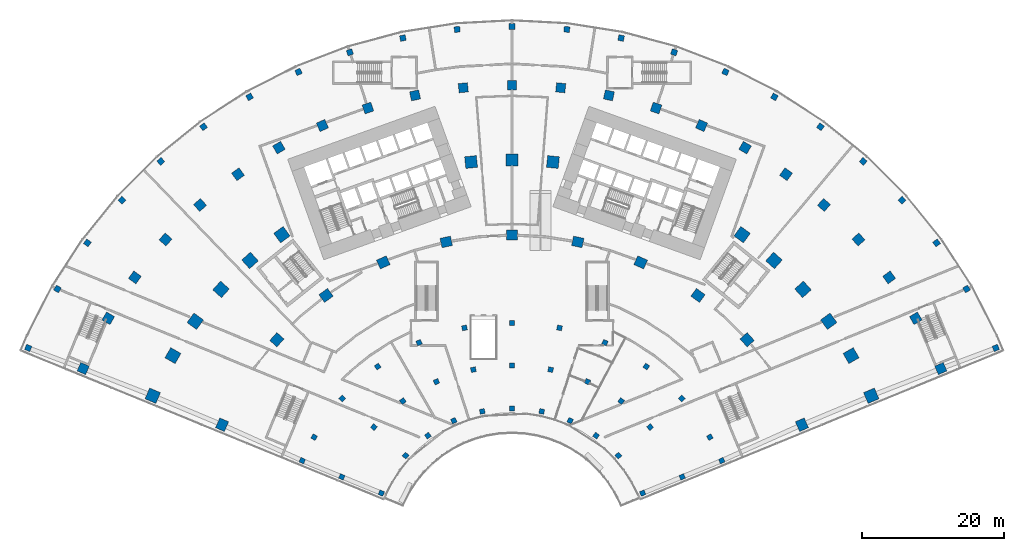
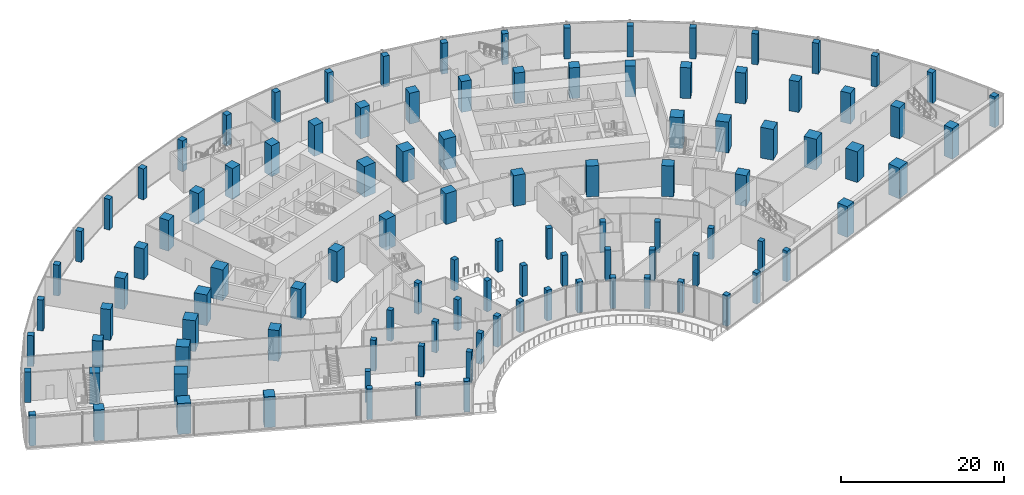
# One storey, part 1 of 40: 107 columns.
"""IFC4 building model written with IfcOpenShell, lengths in metres."""

import ifcopenshell
import ifcopenshell.guid

model = None  # the IFC model being written
_history = None  # IfcOwnerHistory: only IFC2X3 demands one
_inside = {}  # id of a spatial element -> (the spatial element, [elements in it])
_under = {}  # id of a project, library or spatial element -> (it, [spatial elements below it])
_declared = {}  # id of a project -> (the project, [libraries it declares])
_typed = {}  # id of a type object -> (the type object, [elements of that type])
_made_of = {}  # id of a material, layer set ... -> (it, [elements and type objects made of it])


def new_model(schema):
    """Start an empty IFC model of exactly this schema.

    Asked for "IFC4X3", IfcOpenShell would pick the latest addendum, in which some entities
    have other attributes; the version numbers below select the first issue.
    IFC2X3 requires an IfcOwnerHistory on every rooted entity: one is made here for all.
    """
    global model, _history
    if schema == "IFC4X3":
        model = ifcopenshell.file(schema_version=(4, 3, 0, 0))
    else:
        model = ifcopenshell.file(schema=schema)
    _inside.clear()
    _under.clear()
    _declared.clear()
    _typed.clear()
    _made_of.clear()
    _history = None
    if model.schema == "IFC2X3":
        org = make("IfcOrganization", Name="unknown")
        user = make(
            "IfcPersonAndOrganization",
            ThePerson=make("IfcPerson", FamilyName="unknown"),
            TheOrganization=org,
        )
        app = make(
            "IfcApplication",
            ApplicationDeveloper=org,
            Version="unknown",
            ApplicationFullName="unknown",
            ApplicationIdentifier="unknown",
        )
        _history = make(
            "IfcOwnerHistory",
            OwningUser=user,
            OwningApplication=app,
            ChangeAction="ADDED",
            CreationDate=0,
        )
    return model


def make(cls, **values):
    """One entity of the class cls with the attributes given. An attribute that is None is left unset."""
    return model.create_entity(
        cls, **{name: value for name, value in values.items() if value is not None}
    )


def rooted(cls, **values):
    """An entity with a GlobalId (a new one), such as an element, a storey or a relation."""
    return make(cls, GlobalId=ifcopenshell.guid.new(), OwnerHistory=_history, **values)


def si_unit(unit_type, name, prefix=None):
    """IfcSIUnit, for example si_unit("LENGTHUNIT", "METRE", prefix="MILLI")."""
    return make("IfcSIUnit", UnitType=unit_type, Prefix=prefix, Name=name)


def assignment(units):
    """IfcUnitAssignment: the units of a project."""
    return None if units is None else make("IfcUnitAssignment", Units=units)


def point(xyz):
    """IfcCartesianPoint."""
    return None if xyz is None else make("IfcCartesianPoint", Coordinates=xyz)


def direction(xyz):
    """IfcDirection."""
    return None if xyz is None else make("IfcDirection", DirectionRatios=xyz)


def frame(location, z_axis=None, x_axis=None):
    """IfcAxis2Placement3D, a coordinate frame: its origin and axes. An axis left out is left unset."""
    return make(
        "IfcAxis2Placement3D",
        Location=point(location),
        Axis=direction(z_axis),
        RefDirection=direction(x_axis),
    )


def frame_2d(location, x_axis=None):
    """IfcAxis2Placement2D, a coordinate frame in the plane: its origin and x axis."""
    return make(
        "IfcAxis2Placement2D", Location=point(location), RefDirection=direction(x_axis)
    )


def origin():
    """The frame at (0, 0, 0) with its axes left unset."""
    return frame((0.0, 0.0, 0.0))


def origin_2d():
    """The frame at (0, 0) in the plane with its x axis left unset."""
    return frame_2d((0.0, 0.0))


def place(relative_to, where):
    """IfcLocalPlacement: puts the frame where relative to a parent placement (None: the world)."""
    return make(
        "IfcLocalPlacement", PlacementRelTo=relative_to, RelativePlacement=where
    )


def context(
    kind, dimensions, precision=None, world=None, true_north=None, identifier=None
):
    """IfcGeometricRepresentationContext, for example the 3D "Model" context."""
    return make(
        "IfcGeometricRepresentationContext",
        ContextIdentifier=identifier,
        ContextType=kind,
        CoordinateSpaceDimension=dimensions,
        Precision=precision,
        WorldCoordinateSystem=world,
        TrueNorth=true_north,
    )


def subcontext(parent, identifier, kind, view, scale=None):
    """IfcGeometricRepresentationSubContext, for example "Body" below "Model"."""
    return make(
        "IfcGeometricRepresentationSubContext",
        ContextIdentifier=identifier,
        ContextType=kind,
        ParentContext=parent,
        TargetScale=scale,
        TargetView=view,
    )


def project(units=None, contexts=None):
    """IfcProject with its units and contexts."""
    return rooted(
        "IfcProject",
        Name="project",
        RepresentationContexts=contexts,
        UnitsInContext=assignment(units),
    )


def spatial(cls, under=None, at=None, **own):
    """A site, building, storey or space (cls), placed at a placement, below another one or the project."""
    s = rooted(cls, ObjectPlacement=at, **own)
    if under is not None:
        _under.setdefault(under.id(), (under, []))[1].append(s)
    return s


def profile(cls, at=None, kind="AREA", **sizes):
    """A parametric profile (cls). Its sizes go by their IFC names, for example OverallWidth=200.0."""
    return make(cls, ProfileType=kind, Position=at, **sizes)


def rectangle(**sizes):
    """IfcRectangleProfileDef."""
    return profile("IfcRectangleProfileDef", **sizes)


def extrude(swept, where, along, depth):
    """IfcExtrudedAreaSolid: the profile swept, set in the frame where, extruded along a direction by depth."""
    return make(
        "IfcExtrudedAreaSolid",
        SweptArea=swept,
        Position=where,
        ExtrudedDirection=direction(along),
        Depth=depth,
    )


def shape(context_of_items, identifier, shape_type, items):
    """IfcShapeRepresentation: the items that make up one representation, for example the "Body"."""
    return make(
        "IfcShapeRepresentation",
        ContextOfItems=context_of_items,
        RepresentationIdentifier=identifier,
        RepresentationType=shape_type,
        Items=items,
    )


def material(Name=None, Category=None):
    """IfcMaterial."""
    return make("IfcMaterial", Name=Name, Category=Category)


def material_profile(
    of_material, cross_section, Name=None, Category=None, Priority=None
):
    """IfcMaterialProfile: a cross section and its material."""
    return make(
        "IfcMaterialProfile",
        Name=Name,
        Material=of_material,
        Profile=cross_section,
        Priority=Priority,
        Category=Category,
    )


def profile_set(profiles, Name=None, composite=None):
    """IfcMaterialProfileSet."""
    return make(
        "IfcMaterialProfileSet",
        Name=Name,
        MaterialProfiles=profiles,
        CompositeProfile=composite,
    )


def made_of(thing, what):
    """Note that an element or type object is made of a material, layer set ...; save() writes the relation."""
    if what is not None:
        _made_of.setdefault(what.id(), (what, []))[1].append(thing)
    return thing


def type_object(cls, material=None, **own):
    """A type object (cls), such as IfcWallType, which elements share."""
    return made_of(rooted(cls, **own), material)


def element(
    cls,
    number,
    at=None,
    inside=None,
    cuts=None,
    type_object=None,
    material=None,
    context=None,
    identifier="Body",
    shape_type=None,
    held_by="IfcProductDefinitionShape",
    body=None,
    shapes=None,
    **own,
):
    """One element of the class cls, such as IfcWall. Its Tag is "e" and its number.

    at: its placement. inside: the storey or other place that contains it. cuts: it is an
    opening in that element (IfcRelVoidsElement). A single representation is given by context,
    identifier, shape_type and body (its items); several are given by shapes. held_by: the class
    of the entity that holds the representations. save() writes the other relations.
    """
    e = rooted(cls, Tag="e%d" % number, ObjectPlacement=at, **own)
    if body is not None:
        shapes = [shape(context, identifier, shape_type, body)]
    if shapes is not None:
        e.Representation = make(held_by, Representations=shapes)
    if inside is not None:
        _inside.setdefault(inside.id(), (inside, []))[1].append(e)
    if cuts is not None:
        rooted(
            "IfcRelVoidsElement", RelatingBuildingElement=cuts, RelatedOpeningElement=e
        )
    if type_object is not None:
        _typed.setdefault(type_object.id(), (type_object, []))[1].append(e)
    return made_of(e, material)


def aggregate(whole, parts):
    """IfcRelAggregates: a whole, such as a stair, and the parts it consists of."""
    return rooted("IfcRelAggregates", RelatingObject=whole, RelatedObjects=parts)


def save(model, path):
    """Write the relations noted so far, then the file.

    IfcRelAggregates (storeys below a building ...), IfcRelContainedInSpatialStructure (elements
    in a storey), IfcRelDefinesByType, IfcRelAssociatesMaterial and IfcRelDeclares: one each for
    every whole, place, type object, material and project.
    """
    for whole, parts in _under.values():
        aggregate(whole, parts)
    for where, things in _inside.values():
        rooted(
            "IfcRelContainedInSpatialStructure",
            RelatedElements=things,
            RelatingStructure=where,
        )
    for kind, things in _typed.values():
        rooted("IfcRelDefinesByType", RelatedObjects=things, RelatingType=kind)
    for what, things in _made_of.values():
        rooted("IfcRelAssociatesMaterial", RelatedObjects=things, RelatingMaterial=what)
    for by, libraries in _declared.values():
        rooted("IfcRelDeclares", RelatingContext=by, RelatedDefinitions=libraries)
    model.write(path)


model = new_model("IFC4")

# Units and contexts
model_context = context("Model", 3, precision=1e-05, world=origin(), true_north=direction((0.0, 1.0)))
body_context = subcontext(model_context, "Body", "Model", "MODEL_VIEW")
ifc_project = project(units=[si_unit("LENGTHUNIT", "METRE"), si_unit("AREAUNIT", "SQUARE_METRE"), si_unit("VOLUMEUNIT", "CUBIC_METRE"), si_unit("PLANEANGLEUNIT", "RADIAN"), si_unit("MASSUNIT", "GRAM", prefix="KILO")], contexts=[model_context])

# Site, building, storey
site_placement = place(None, origin())
site = spatial("IfcSite", under=ifc_project, at=site_placement, CompositionType="ELEMENT")
building_placement = place(site_placement, origin())
building = spatial("IfcBuilding", under=site, at=building_placement, Name="Stone Belt Terrace Tower", CompositionType="ELEMENT")
storey_placement = place(building_placement, frame((0.0, 0.0, 7.0)))
storey = spatial("IfcBuildingStorey", under=building, at=storey_placement, Name="L01", CompositionType="ELEMENT", Elevation=7.0)

# Columns
ifc_material_1 = material(Name="Concrete B80", Category="concrete")
ifc_material_profile_1 = material_profile(ifc_material_1, rectangle(XDim=1.300048828125, YDim=1.300048828125, at=origin_2d()), Name="RC 1300x1300")
ifc_profile_set_1 = profile_set([ifc_material_profile_1], Name="Concrete B80")
column_type_1 = type_object("IfcColumnType", Name="Column RC 1300x1300 B80", PredefinedType="COLUMN", material=ifc_profile_set_1)
for number, where, z_axis, x_axis, name in (
    (1, (-60.24169921875, 25.68505859375, 0.0), (0.0, 0.0, 1.0), (0.392203865004, 0.919878322538, 0.0), "Column L01 RA"),
    (2, (-56.715087890625, 32.744384765625, 0.0), (0.0, 0.0, 1.0), (0.5, 0.866025403784, 0.0), "Column L01 R12"),
    (3, (-52.981689453125, 38.493408203125, 0.0), (0.0, 0.0, 1.0), (0.587785252292, 0.809016994375, 0.0), "Column L01 R13"),
    (4, (-48.667724609375, 43.820556640625, 0.0), (0.0, 0.0, 1.0), (0.669130606359, 0.743144825477, 0.0), "Column L01 R14"),
    (5, (-43.820556640625, 48.667724609375, 0.0), (0.0, 0.0, 1.0), (0.743144825477, 0.669130606359, 0.0), "Column L01 R15"),
    (6, (-38.493408203125, 52.981689453125, 0.0), (0.0, 0.0, 1.0), (0.809016994375, 0.587785252292, 0.0), "Column L01 R16"),
    (7, (-32.744384765625, 56.715087890625, 0.0), (0.0, 0.0, 1.0), (0.866025403784, 0.5, 0.0), "Column L01 R17"),
    (8, (-26.63671875, 59.8271484375, 0.0), (0.0, 0.0, 1.0), (0.913545457643, 0.406736643076, 0.0), "Column L01 R18"),
    (9, (-20.2373046875, 62.28369140625, 0.0), (0.0, 0.0, 1.0), (0.951056516295, 0.309016994375, 0.0), "Column L01 R19"),
    (10, (-13.615966796875, 64.057861328125, 0.0), (0.0, 0.0, 1.0), (0.978147600734, 0.207911690818, 0.0), "Column L01 R20"),
    (11, (-6.845458984375, 65.130126953125, 0.0), (0.0, 0.0, 1.0), (0.994521895368, 0.104528463268, 0.0), "Column L01 R21"),
    (12, (0.0, 65.489013671875, 0.0), (0.0, 0.0, 1.0), (1.0, 0.0, 0.0), "Column L01 R22"),
    (13, (6.845458984375, 65.130126953125, 0.0), (0.0, 0.0, 1.0), (0.994521895368, -0.104528463268, 0.0), "Column L01 R23"),
    (14, (13.615966796875, 64.057861328125, 0.0), (0.0, 0.0, 1.0), (0.978147600734, -0.207911690818, 0.0), "Column L01 R24"),
    (15, (20.2373046875, 62.28369140625, 0.0), (0.0, 0.0, 1.0), (0.951056516295, -0.309016994375, 0.0), "Column L01 R25"),
    (16, (26.63671875, 59.8271484375, 0.0), (0.0, 0.0, 1.0), (0.913545457643, -0.406736643076, 0.0), "Column L01 R26"),
    (17, (32.744384765625, 56.715087890625, 0.0), (0.0, 0.0, 1.0), (0.866025403784, -0.5, 0.0), "Column L01 R27"),
    (18, (38.493408203125, 52.981689453125, 0.0), (0.0, 0.0, 1.0), (0.809016994375, -0.587785252292, 0.0), "Column L01 R28"),
    (19, (43.820556640625, 48.667724609375, 0.0), (0.0, 0.0, 1.0), (0.743144825477, -0.669130606359, 0.0), "Column L01 R29"),
    (20, (48.667724609375, 43.820556640625, 0.0), (0.0, 0.0, 1.0), (0.669130606359, -0.743144825477, 0.0), "Column L01 R30"),
    (21, (52.981689453125, 38.493408203125, 0.0), (0.0, 0.0, 1.0), (0.587785252292, -0.809016994375, 0.0), "Column L01 R31"),
    (22, (56.715087890625, 32.744384765625, 0.0), (0.0, 0.0, 1.0), (0.5, -0.866025403784, 0.0), "Column L01 R32"),
    (23, (60.24169921875, 25.68505859375, 0.0), (0.0, 0.0, 1.0), (0.392203865004, -0.919878322538, 0.0), "Column L01 RB"),
):
    element("IfcColumn", number, at=place(storey_placement, frame(where, z_axis=z_axis, x_axis=x_axis)), inside=storey, type_object=column_type_1, Name=name, PredefinedType="COLUMN", context=body_context, shape_type="SweptSolid", body=[
        extrude(rectangle(XDim=1.300048828125, YDim=1.300048828125, at=origin_2d()), origin(), (0.0, 0.0, 1.0), 4.60009765625),
    ])
ifc_material_profile_2 = material_profile(ifc_material_1, rectangle(XDim=1.5, YDim=1.35009765625, at=origin_2d()), Name="RC 1500x1350")
ifc_profile_set_2 = profile_set([ifc_material_profile_2], Name="Concrete B80")
column_type_2 = type_object("IfcColumnType", Name="Column RC 1500x1350 B80", PredefinedType="COLUMN", material=ifc_profile_set_2)
for number, where, z_axis, x_axis, name in (
    (24, (-40.727294921875, 17.794677734375, 0.0), (0.0, 0.0, 1.0), (0.40037622141, 0.916350850564, 0.0), "Column L01 PA"),
    (25, (-33.029052734375, 29.739501953125, 0.0), (0.0, 0.0, 1.0), (0.669130606359, 0.743144825477, 0.0), "Column L01 P14"),
    (26, (-26.1240234375, 35.956787109375, 0.0), (0.0, 0.0, 1.0), (0.809016994375, 0.587785252292, 0.0), "Column L01 P16"),
    (27, (-18.077392578125, 40.6025390625, 0.0), (0.0, 0.0, 1.0), (0.913545457643, 0.406736643076, 0.0), "Column L01 P18"),
    (28, (-9.240478515625, 43.473876953125, 0.0), (0.0, 0.0, 1.0), (0.978147600734, 0.207911690818, 0.0), "Column L01 P20"),
    (29, (0.0, 44.445068359375, 0.0), (0.0, 0.0, 1.0), (1.0, 0.0, 0.0), "Column L01 P22"),
    (30, (9.240478515625, 43.473876953125, 0.0), (0.0, 0.0, 1.0), (0.978147600734, -0.207911690818, 0.0), "Column L01 P24"),
    (31, (18.077392578125, 40.6025390625, 0.0), (0.0, 0.0, 1.0), (0.913545457643, -0.406736643076, 0.0), "Column L01 P26"),
    (32, (26.1240234375, 35.956787109375, 0.0), (0.0, 0.0, 1.0), (0.809016994375, -0.587785252292, 0.0), "Column L01 P28"),
    (33, (33.029052734375, 29.739501953125, 0.0), (0.0, 0.0, 1.0), (0.669130606359, -0.743144825477, 0.0), "Column L01 P30"),
    (34, (40.727294921875, 17.794677734375, 0.0), (0.0, 0.0, 1.0), (0.40037622141, -0.916350850564, 0.0), "Column L01 PB"),
):
    element("IfcColumn", number, at=place(storey_placement, frame(where, z_axis=z_axis, x_axis=x_axis)), inside=storey, type_object=column_type_2, Name=name, PredefinedType="COLUMN", context=body_context, shape_type="SweptSolid", body=[
        extrude(rectangle(XDim=1.5, YDim=1.35009765625, at=origin_2d()), origin(), (0.0, 0.0, 1.0), 4.60009765625),
    ])
ifc_material_profile_3 = material_profile(ifc_material_1, rectangle(XDim=1.64990234375, YDim=1.64990234375, at=origin_2d()), Name="RC 1650x1650")
ifc_profile_set_3 = profile_set([ifc_material_profile_3], Name="Concrete B80")
column_type_3 = type_object("IfcColumnType", Name="Column RC 1650x1650 B80", PredefinedType="COLUMN", material=ifc_profile_set_3)
for number, where, z_axis, x_axis, name in (
    (35, (-50.466064453125, 21.867431640625, 0.0), (0.0, 0.0, 1.0), (0.397588335471, 0.917563902678, 0.0), "Column L01 QA"),
    (36, (-47.63134765625, 27.5, 0.0), (0.0, 0.0, 1.0), (0.5, 0.866025403784, 0.0), "Column L01 Q12"),
    (37, (-44.495849609375, 32.328125, 0.0), (0.0, 0.0, 1.0), (0.587785252292, 0.809016994375, 0.0), "Column L01 Q13"),
    (38, (-40.873046875, 36.80224609375, 0.0), (0.0, 0.0, 1.0), (0.669130606359, 0.743144825477, 0.0), "Column L01 Q14"),
    (39, (-36.80224609375, 40.873046875, 0.0), (0.0, 0.0, 1.0), (0.743144825477, 0.669130606359, 0.0), "Column L01 Q15"),
    (40, (-32.328125, 44.495849609375, 0.0), (0.0, 0.0, 1.0), (0.809016994375, 0.587785252292, 0.0), "Column L01 Q16"),
    (41, (-5.7490234375, 54.69873046875, 0.0), (0.0, 0.0, 1.0), (0.994521895368, 0.104528463268, 0.0), "Column L01 Q21"),
    (42, (0.0, 55.0, 0.0), (0.0, 0.0, 1.0), (1.0, 0.0, 0.0), "Column L01 Q22"),
    (43, (5.7490234375, 54.69873046875, 0.0), (0.0, 0.0, 1.0), (0.994521895368, -0.104528463268, 0.0), "Column L01 Q23"),
    (44, (32.328125, 44.495849609375, 0.0), (0.0, 0.0, 1.0), (0.809016994375, -0.587785252292, 0.0), "Column L01 Q28"),
    (45, (36.80224609375, 40.873046875, 0.0), (0.0, 0.0, 1.0), (0.743144825477, -0.669130606359, 0.0), "Column L01 Q29"),
    (46, (40.873046875, 36.80224609375, 0.0), (0.0, 0.0, 1.0), (0.669130606359, -0.743144825477, 0.0), "Column L01 Q30"),
    (47, (44.495849609375, 32.328125, 0.0), (0.0, 0.0, 1.0), (0.587785252292, -0.809016994375, 0.0), "Column L01 Q31"),
    (48, (47.63134765625, 27.5, 0.0), (0.0, 0.0, 1.0), (0.5, -0.866025403784, 0.0), "Column L01 Q32"),
    (49, (50.466064453125, 21.867431640625, 0.0), (0.0, 0.0, 1.0), (0.397588335471, -0.917563902678, 0.0), "Column L01 QB"),
):
    element("IfcColumn", number, at=place(storey_placement, frame(where, z_axis=z_axis, x_axis=x_axis)), inside=storey, type_object=column_type_3, Name=name, PredefinedType="COLUMN", context=body_context, shape_type="SweptSolid", body=[
        extrude(rectangle(XDim=1.64990234375, YDim=1.64990234375, at=origin_2d()), origin(), (0.0, 0.0, 1.0), 4.60009765625),
    ])
ifc_material_2 = material(Name="Concrete B60", Category="concrete")
ifc_material_profile_4 = material_profile(ifc_material_2, rectangle(XDim=0.699951171875, YDim=0.699951171875, at=origin_2d()), Name="RC 700x700")
ifc_profile_set_4 = profile_set([ifc_material_profile_4], Name="Concrete B60")
column_type_4 = type_object("IfcColumnType", Name="Column RC 700x700 B60", PredefinedType="COLUMN", material=ifc_profile_set_4)
for number, where, z_axis, x_axis, name in (
    (50, (-18.3544921875, 8.19287109375, 0.0), (0.0, 0.0, 1.0), (0.40759905238, 0.913161000316, 0.0), "Column L01 MA"),
    (51, (-14.937255859375, 13.449462890625, 0.0), (0.0, 0.0, 1.0), (0.669130606359, 0.743144825477, 0.0), "Column L01 M14"),
    (52, (-11.814453125, 16.26123046875, 0.0), (0.0, 0.0, 1.0), (0.809016994375, 0.587785252292, 0.0), "Column L01 M16"),
    (53, (-8.17529296875, 18.3623046875, 0.0), (0.0, 0.0, 1.0), (0.913545457643, 0.406736643076, 0.0), "Column L01 M18"),
    (54, (-4.178955078125, 19.660888671875, 0.0), (0.0, 0.0, 1.0), (0.978147600734, 0.207911690818, 0.0), "Column L01 M20"),
    (55, (0.0, 20.10009765625, 0.0), (0.0, 0.0, 1.0), (1.0, 0.0, 0.0), "Column L01 M22"),
    (56, (4.178955078125, 19.660888671875, 0.0), (0.0, 0.0, 1.0), (0.978147600734, -0.207911690818, 0.0), "Column L01 M24"),
    (57, (8.17529296875, 18.3623046875, 0.0), (0.0, 0.0, 1.0), (0.913545457643, -0.406736643076, 0.0), "Column L01 M26"),
    (58, (11.814453125, 16.26123046875, 0.0), (0.0, 0.0, 1.0), (0.809016994375, -0.587785252292, 0.0), "Column L01 M28"),
    (59, (14.937255859375, 13.449462890625, 0.0), (0.0, 0.0, 1.0), (0.669130606359, -0.743144825477, 0.0), "Column L01 M30"),
    (60, (18.3544921875, 8.19287109375, 0.0), (0.0, 0.0, 1.0), (0.40759905238, -0.913161000316, 0.0), "Column L01 MB"),
    (61, (-23.908203125, 10.468994140625, 0.0), (0.0, 0.0, 1.0), (0.401114983453, 0.91602771249, 0.0), "Column L01 NA"),
    (62, (-19.39599609375, 17.46435546875, 0.0), (0.0, 0.0, 1.0), (0.669130606359, 0.743144825477, 0.0), "Column L01 N14"),
    (63, (-15.34130859375, 21.115234375, 0.0), (0.0, 0.0, 1.0), (0.809016994375, 0.587785252292, 0.0), "Column L01 N16"),
    (64, (-10.61572265625, 23.843505859375, 0.0), (0.0, 0.0, 1.0), (0.913545457643, 0.406736643076, 0.0), "Column L01 N18"),
    (65, (-5.426513671875, 25.52978515625, 0.0), (0.0, 0.0, 1.0), (0.978147600734, 0.207911690818, 0.0), "Column L01 N20"),
    (66, (0.0, 26.10009765625, 0.0), (0.0, 0.0, 1.0), (1.0, 0.0, 0.0), "Column L01 N22"),
    (67, (5.426513671875, 25.52978515625, 0.0), (0.0, 0.0, 1.0), (0.978147600734, -0.207911690818, 0.0), "Column L01 N24"),
    (68, (10.61572265625, 23.843505859375, 0.0), (0.0, 0.0, 1.0), (0.913545457643, -0.406736643076, 0.0), "Column L01 N26"),
    (69, (15.34130859375, 21.115234375, 0.0), (0.0, 0.0, 1.0), (0.809016994375, -0.587785252292, 0.0), "Column L01 N28"),
    (70, (19.39599609375, 17.46435546875, 0.0), (0.0, 0.0, 1.0), (0.669130606359, -0.743144825477, 0.0), "Column L01 N30"),
    (71, (23.908203125, 10.468994140625, 0.0), (0.0, 0.0, 1.0), (0.401114983453, -0.91602771249, 0.0), "Column L01 NB"),
    (72, (-29.46142578125, 12.7451171875, 0.0), (0.0, 0.0, 1.0), (0.39704377212, 0.917799674777, 0.0), "Column L01 OA"),
    (73, (-27.79931640625, 16.050048828125, 0.0), (0.0, 0.0, 1.0), (0.5, 0.866025403784, 0.0), "Column L01 O12"),
    (74, (-23.85498046875, 21.47900390625, 0.0), (0.0, 0.0, 1.0), (0.669130606359, 0.743144825477, 0.0), "Column L01 O14"),
    (75, (-18.867919921875, 25.969482421875, 0.0), (0.0, 0.0, 1.0), (0.809016994375, 0.587785252292, 0.0), "Column L01 O16"),
    (76, (-13.05615234375, 29.32470703125, 0.0), (0.0, 0.0, 1.0), (0.913545457643, 0.406736643076, 0.0), "Column L01 O18"),
    (77, (-6.674072265625, 31.3984375, 0.0), (0.0, 0.0, 1.0), (0.978147600734, 0.207911690818, 0.0), "Column L01 O20"),
    (78, (0.0, 32.10009765625, 0.0), (0.0, 0.0, 1.0), (1.0, 0.0, 0.0), "Column L01 O22"),
    (79, (6.674072265625, 31.3984375, 0.0), (0.0, 0.0, 1.0), (0.978147600734, -0.207911690818, 0.0), "Column L01 O24"),
    (80, (13.05615234375, 29.32470703125, 0.0), (0.0, 0.0, 1.0), (0.913545457643, -0.406736643076, 0.0), "Column L01 O26"),
    (81, (18.867919921875, 25.969482421875, 0.0), (0.0, 0.0, 1.0), (0.809016994375, -0.587785252292, 0.0), "Column L01 O28"),
    (82, (23.85498046875, 21.47900390625, 0.0), (0.0, 0.0, 1.0), (0.669130606359, -0.743144825477, 0.0), "Column L01 O30"),
    (83, (27.79931640625, 16.050048828125, 0.0), (0.0, 0.0, 1.0), (0.5, -0.866025403784, 0.0), "Column L01 O32"),
    (84, (29.46142578125, 12.7451171875, 0.0), (0.0, 0.0, 1.0), (0.39704377212, -0.917799674777, 0.0), "Column L01 OB"),
):
    element("IfcColumn", number, at=place(storey_placement, frame(where, z_axis=z_axis, x_axis=x_axis)), inside=storey, type_object=column_type_4, Name=name, PredefinedType="COLUMN", context=body_context, shape_type="SweptSolid", body=[
        extrude(rectangle(XDim=0.699951171875, YDim=0.699951171875, at=origin_2d()), origin(), (0.0, 0.0, 1.0), 4.60009765625),
    ])
ifc_material_profile_5 = material_profile(ifc_material_2, rectangle(XDim=0.800048828125, YDim=0.800048828125, at=origin_2d()), Name="RC 800x800")
ifc_profile_set_5 = profile_set([ifc_material_profile_5], Name="Concrete B60")
column_type_5 = type_object("IfcColumnType", Name="Column RC 800x800 B60", PredefinedType="COLUMN", material=ifc_profile_set_5)
for number, where, z_axis, x_axis, name in (
    (85, (-67.96337890625, 28.57958984375, 0.0), (0.0, 0.0, 1.0), (0.387636254736, 0.921812418019, 0.0), "Column L01 SA"),
    (86, (-63.85009765625, 36.864013671875, 0.0), (0.0, 0.0, 1.0), (0.5, 0.866025403784, 0.0), "Column L01 S12"),
    (87, (-59.647216796875, 43.336181640625, 0.0), (0.0, 0.0, 1.0), (0.587785252292, 0.809016994375, 0.0), "Column L01 S13"),
    (88, (-54.79052734375, 49.33349609375, 0.0), (0.0, 0.0, 1.0), (0.669130606359, 0.743144825477, 0.0), "Column L01 S14"),
    (89, (-49.33349609375, 54.79052734375, 0.0), (0.0, 0.0, 1.0), (0.743144825477, 0.669130606359, 0.0), "Column L01 S15"),
    (90, (-43.336181640625, 59.647216796875, 0.0), (0.0, 0.0, 1.0), (0.809016994375, 0.587785252292, 0.0), "Column L01 S16"),
    (91, (-36.864013671875, 63.85009765625, 0.0), (0.0, 0.0, 1.0), (0.866025403784, 0.5, 0.0), "Column L01 S17"),
    (92, (-29.98779296875, 67.353759765625, 0.0), (0.0, 0.0, 1.0), (0.913545457643, 0.406736643076, 0.0), "Column L01 S18"),
    (93, (-22.783203125, 70.119384765625, 0.0), (0.0, 0.0, 1.0), (0.951056516295, 0.309016994375, 0.0), "Column L01 S19"),
    (94, (-15.328857421875, 72.11669921875, 0.0), (0.0, 0.0, 1.0), (0.978147600734, 0.207911690818, 0.0), "Column L01 S20"),
    (95, (-7.706787109375, 73.323974609375, 0.0), (0.0, 0.0, 1.0), (0.994521895368, 0.104528463268, 0.0), "Column L01 S21"),
    (96, (0.0, 73.727783203125, 0.0), (0.0, 0.0, 1.0), (1.0, 0.0, 0.0), "Column L01 S22"),
    (97, (7.706787109375, 73.323974609375, 0.0), (0.0, 0.0, 1.0), (0.994521895368, -0.104528463268, 0.0), "Column L01 S23"),
    (98, (15.328857421875, 72.11669921875, 0.0), (0.0, 0.0, 1.0), (0.978147600734, -0.207911690818, 0.0), "Column L01 S24"),
    (99, (22.783203125, 70.119384765625, 0.0), (0.0, 0.0, 1.0), (0.951056516295, -0.309016994375, 0.0), "Column L01 S25"),
    (100, (29.98779296875, 67.353759765625, 0.0), (0.0, 0.0, 1.0), (0.913545457643, -0.406736643076, 0.0), "Column L01 S26"),
    (101, (36.864013671875, 63.85009765625, 0.0), (0.0, 0.0, 1.0), (0.866025403784, -0.5, 0.0), "Column L01 S27"),
    (102, (43.336181640625, 59.647216796875, 0.0), (0.0, 0.0, 1.0), (0.809016994375, -0.587785252292, 0.0), "Column L01 S28"),
    (103, (49.33349609375, 54.79052734375, 0.0), (0.0, 0.0, 1.0), (0.743144825477, -0.669130606359, 0.0), "Column L01 S29"),
    (104, (54.79052734375, 49.33349609375, 0.0), (0.0, 0.0, 1.0), (0.669130606359, -0.743144825477, 0.0), "Column L01 S30"),
    (105, (59.647216796875, 43.336181640625, 0.0), (0.0, 0.0, 1.0), (0.587785252292, -0.809016994375, 0.0), "Column L01 S31"),
    (106, (63.85009765625, 36.864013671875, 0.0), (0.0, 0.0, 1.0), (0.5, -0.866025403784, 0.0), "Column L01 S32"),
    (107, (67.96337890625, 28.57958984375, 0.0), (0.0, 0.0, 1.0), (0.387636254736, -0.921812418019, 0.0), "Column L01 SB"),
):
    element("IfcColumn", number, at=place(storey_placement, frame(where, z_axis=z_axis, x_axis=x_axis)), inside=storey, type_object=column_type_5, Name=name, PredefinedType="COLUMN", context=body_context, shape_type="SweptSolid", body=[
        extrude(rectangle(XDim=0.800048828125, YDim=0.800048828125, at=origin_2d()), origin(), (0.0, 0.0, 1.0), 4.60009765625),
    ])

save(model, "model.ifc")
